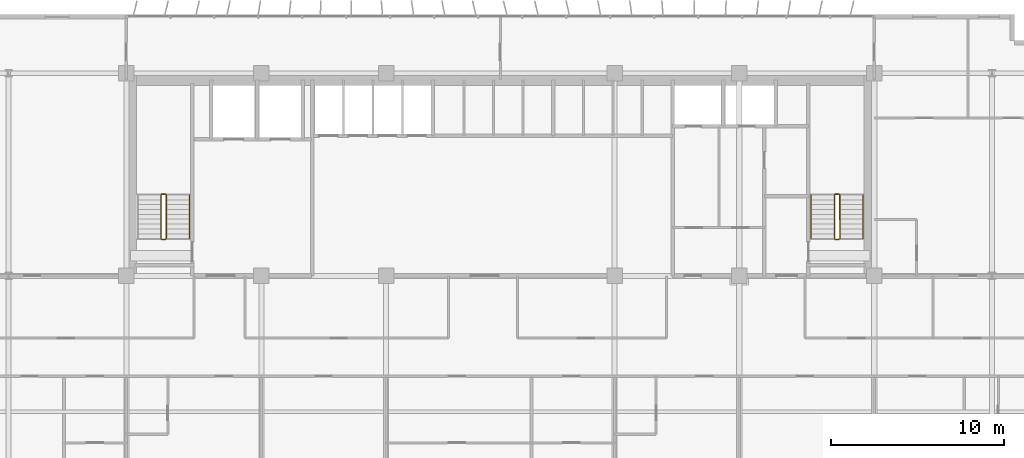
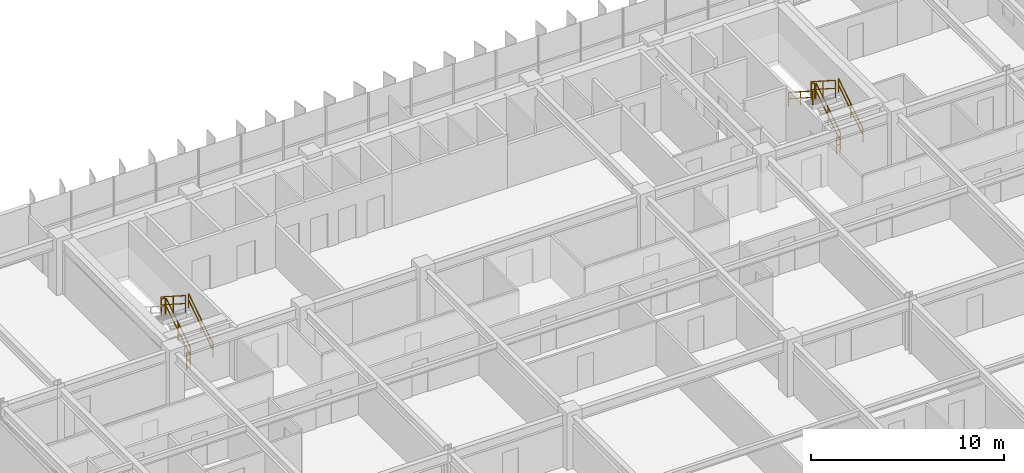
# One storey, part 21 of 22: 11 railings.
"""IFC4 building model written with IfcOpenShell, lengths in metres."""

from ifc_helpers import new_model, si_unit, direction, frame, origin, origin_2d, place, context, subcontext, project, spatial, rectangle, extrude, material, type_object, element, save


model = new_model("IFC4")

# Units and contexts
model_context = context("Model", 3, precision=1e-05, world=origin(), true_north=direction((0.0, 1.0)))
body_context = subcontext(model_context, "Body", "Model", "MODEL_VIEW")
ifc_project = project(units=[si_unit("LENGTHUNIT", "METRE"), si_unit("AREAUNIT", "SQUARE_METRE"), si_unit("VOLUMEUNIT", "CUBIC_METRE"), si_unit("PLANEANGLEUNIT", "RADIAN"), si_unit("MASSUNIT", "GRAM", prefix="KILO")], contexts=[model_context])

# Site, building, storey
site_placement = place(None, origin())
site = spatial("IfcSite", under=ifc_project, at=site_placement, CompositionType="ELEMENT")
building_placement = place(site_placement, origin())
building = spatial("IfcBuilding", under=site, at=building_placement, Name="Trelvane Seafront Commons", CompositionType="ELEMENT")
storey_placement = place(building_placement, frame((0.0, 0.0, 45.10009765625)))
storey = spatial("IfcBuildingStorey", under=building, at=storey_placement, Name="L11", CompositionType="ELEMENT", Elevation=45.10009765625)

# Railings
ifc_material = material(Name="Stainless steel balustrade", Category="steel")
railing_type_1 = type_object("IfcRailingType", Name="ARCH-SRL-GUARD", PredefinedType="GUARDRAIL", material=ifc_material)
railing_1_placement = place(storey_placement, frame((17.89990234375, 35.550048828125, 0.179931640625)))
element("IfcRailing", 1, at=railing_1_placement, inside=storey, type_object=railing_type_1, Name="L11 ST-1 stair guard 1", PredefinedType="GUARDRAIL", context=body_context, shape_type="SweptSolid", body=[
    extrude(rectangle(XDim=0.048095703125, YDim=0.048095703125, at=origin_2d()), frame((0.0, 0.0, 1.076171875), z_axis=(0.0, 0.841199657755, 0.540724639528), x_axis=(-1.0, 0.0, 0.0)), (0.0, 0.0, 1.0), 2.995849609375),
    extrude(rectangle(XDim=0.048095703125, YDim=0.048095703125, at=origin_2d()), frame((0.0, 0.0, 0.572021484375), z_axis=(0.0, 0.841199657755, 0.540724639528), x_axis=(-1.0, 0.0, 0.0)), (0.0, 0.0, 1.0), 2.995849609375),
    extrude(rectangle(XDim=0.0419921875, YDim=0.0419921875, at=origin_2d()), origin(), (0.0, 0.0, 1.0), 1.076171875),
    extrude(rectangle(XDim=0.0419921875, YDim=0.0419921875, at=origin_2d()), frame((0.0, 1.260009765625, 0.81005859375)), (0.0, 0.0, 1.0), 1.076171875),
    extrude(rectangle(XDim=0.0419921875, YDim=0.0419921875, at=origin_2d()), frame((0.0, 2.52001953125, 1.619873046875)), (0.0, 0.0, 1.0), 1.076171875),
])
railing_2_placement = place(storey_placement, frame((17.85009765625, 38.1201171875, 1.7998046875)))
element("IfcRailing", 2, at=railing_2_placement, inside=storey, type_object=railing_type_1, Name="L11 ST-1 stair guard 2", PredefinedType="GUARDRAIL", context=body_context, shape_type="SweptSolid", body=[
    extrude(rectangle(XDim=0.048095703125, YDim=0.048095703125, at=origin_2d()), frame((0.0, 0.0, 1.076171875), z_axis=(-1.0, 0.0, 0.0), x_axis=(0.0, -1.0, 0.0)), (0.0, 0.0, 1.0), 0.2001953125),
    extrude(rectangle(XDim=0.048095703125, YDim=0.048095703125, at=origin_2d()), frame((0.0, 0.0, 0.572021484375), z_axis=(-1.0, 0.0, 0.0), x_axis=(0.0, -1.0, 0.0)), (0.0, 0.0, 1.0), 0.2001953125),
    extrude(rectangle(XDim=0.0419921875, YDim=0.0419921875, at=origin_2d()), origin(), (0.0, 0.0, 1.0), 1.076171875),
    extrude(rectangle(XDim=0.0419921875, YDim=0.0419921875, at=origin_2d()), frame((-0.2001953125, 0.0, 0.0)), (0.0, 0.0, 1.0), 1.076171875),
])
railing_3_placement = place(storey_placement, frame((17.60009765625, 38.070068359375, 1.97998046875)))
element("IfcRailing", 3, at=railing_3_placement, inside=storey, type_object=railing_type_1, Name="L11 ST-1 stair guard 3", PredefinedType="GUARDRAIL", context=body_context, shape_type="SweptSolid", body=[
    extrude(rectangle(XDim=0.048095703125, YDim=0.048095703125, at=origin_2d()), frame((0.0, 0.0, 1.076171875), z_axis=(0.0, -0.841199657755, 0.540724639528), x_axis=(1.0, 0.0, 0.0)), (0.0, 0.0, 1.0), 2.995849609375),
    extrude(rectangle(XDim=0.048095703125, YDim=0.048095703125, at=origin_2d()), frame((0.0, 0.0, 0.572021484375), z_axis=(0.0, -0.841199657755, 0.540724639528), x_axis=(1.0, 0.0, 0.0)), (0.0, 0.0, 1.0), 2.995849609375),
    extrude(rectangle(XDim=0.0419921875, YDim=0.0419921875, at=origin_2d()), origin(), (0.0, 0.0, 1.0), 1.076171875),
    extrude(rectangle(XDim=0.0419921875, YDim=0.0419921875, at=origin_2d()), frame((0.0, -1.260009765625, 0.81005859375)), (0.0, 0.0, 1.0), 1.076171875),
    extrude(rectangle(XDim=0.0419921875, YDim=0.0419921875, at=origin_2d()), frame((0.0, -2.52001953125, 1.619873046875)), (0.0, 0.0, 1.0), 1.076171875),
])
railing_4_placement = place(storey_placement, frame((17.85009765625, 35.5, 0.0)))
element("IfcRailing", 4, at=railing_4_placement, inside=storey, type_object=railing_type_1, Name="L11 ST-1 stair guard 4", PredefinedType="GUARDRAIL", context=body_context, shape_type="SweptSolid", body=[
    extrude(rectangle(XDim=0.048095703125, YDim=0.048095703125, at=origin_2d()), frame((0.0, 0.0, 1.076171875), z_axis=(-1.0, 0.0, 0.0), x_axis=(0.0, -1.0, 0.0)), (0.0, 0.0, 1.0), 0.2001953125),
    extrude(rectangle(XDim=0.048095703125, YDim=0.048095703125, at=origin_2d()), frame((0.0, 0.0, 0.572021484375), z_axis=(-1.0, 0.0, 0.0), x_axis=(0.0, -1.0, 0.0)), (0.0, 0.0, 1.0), 0.2001953125),
    extrude(rectangle(XDim=0.0419921875, YDim=0.0419921875, at=origin_2d()), origin(), (0.0, 0.0, 1.0), 1.076171875),
    extrude(rectangle(XDim=0.0419921875, YDim=0.0419921875, at=origin_2d()), frame((-0.2001953125, 0.0, 0.0)), (0.0, 0.0, 1.0), 1.076171875),
])
railing_5_placement = place(storey_placement, frame((56.800048828125, 35.550048828125, 0.179931640625)))
element("IfcRailing", 5, at=railing_5_placement, inside=storey, type_object=railing_type_1, Name="L11 ST-2 stair guard 1", PredefinedType="GUARDRAIL", context=body_context, shape_type="SweptSolid", body=[
    extrude(rectangle(XDim=0.048095703125, YDim=0.048095703125, at=origin_2d()), frame((0.0, 0.0, 1.076171875), z_axis=(0.0, 0.841199657755, 0.540724639528), x_axis=(-1.0, 0.0, 0.0)), (0.0, 0.0, 1.0), 2.995849609375),
    extrude(rectangle(XDim=0.048095703125, YDim=0.048095703125, at=origin_2d()), frame((0.0, 0.0, 0.572021484375), z_axis=(0.0, 0.841199657755, 0.540724639528), x_axis=(-1.0, 0.0, 0.0)), (0.0, 0.0, 1.0), 2.995849609375),
    extrude(rectangle(XDim=0.0419921875, YDim=0.0419921875, at=origin_2d()), origin(), (0.0, 0.0, 1.0), 1.076171875),
    extrude(rectangle(XDim=0.0419921875, YDim=0.0419921875, at=origin_2d()), frame((0.0, 1.260009765625, 0.81005859375)), (0.0, 0.0, 1.0), 1.076171875),
    extrude(rectangle(XDim=0.0419921875, YDim=0.0419921875, at=origin_2d()), frame((0.0, 2.52001953125, 1.619873046875)), (0.0, 0.0, 1.0), 1.076171875),
])
railing_6_placement = place(storey_placement, frame((56.75, 38.1201171875, 1.7998046875)))
element("IfcRailing", 6, at=railing_6_placement, inside=storey, type_object=railing_type_1, Name="L11 ST-2 stair guard 2", PredefinedType="GUARDRAIL", context=body_context, shape_type="SweptSolid", body=[
    extrude(rectangle(XDim=0.048095703125, YDim=0.048095703125, at=origin_2d()), frame((0.0, 0.0, 1.076171875), z_axis=(-1.0, 0.0, 0.0), x_axis=(0.0, -1.0, 0.0)), (0.0, 0.0, 1.0), 0.199951171875),
    extrude(rectangle(XDim=0.048095703125, YDim=0.048095703125, at=origin_2d()), frame((0.0, 0.0, 0.572021484375), z_axis=(-1.0, 0.0, 0.0), x_axis=(0.0, -1.0, 0.0)), (0.0, 0.0, 1.0), 0.199951171875),
    extrude(rectangle(XDim=0.0419921875, YDim=0.0419921875, at=origin_2d()), origin(), (0.0, 0.0, 1.0), 1.076171875),
    extrude(rectangle(XDim=0.0419921875, YDim=0.0419921875, at=origin_2d()), frame((-0.199951171875, 0.0, 0.0)), (0.0, 0.0, 1.0), 1.076171875),
])
railing_7_placement = place(storey_placement, frame((56.5, 38.070068359375, 1.97998046875)))
element("IfcRailing", 7, at=railing_7_placement, inside=storey, type_object=railing_type_1, Name="L11 ST-2 stair guard 3", PredefinedType="GUARDRAIL", context=body_context, shape_type="SweptSolid", body=[
    extrude(rectangle(XDim=0.048095703125, YDim=0.048095703125, at=origin_2d()), frame((0.0, 0.0, 1.076171875), z_axis=(0.0, -0.841199657755, 0.540724639528), x_axis=(1.0, 0.0, 0.0)), (0.0, 0.0, 1.0), 2.995849609375),
    extrude(rectangle(XDim=0.048095703125, YDim=0.048095703125, at=origin_2d()), frame((0.0, 0.0, 0.572021484375), z_axis=(0.0, -0.841199657755, 0.540724639528), x_axis=(1.0, 0.0, 0.0)), (0.0, 0.0, 1.0), 2.995849609375),
    extrude(rectangle(XDim=0.0419921875, YDim=0.0419921875, at=origin_2d()), origin(), (0.0, 0.0, 1.0), 1.076171875),
    extrude(rectangle(XDim=0.0419921875, YDim=0.0419921875, at=origin_2d()), frame((0.0, -1.260009765625, 0.81005859375)), (0.0, 0.0, 1.0), 1.076171875),
    extrude(rectangle(XDim=0.0419921875, YDim=0.0419921875, at=origin_2d()), frame((0.0, -2.52001953125, 1.619873046875)), (0.0, 0.0, 1.0), 1.076171875),
])
railing_8_placement = place(storey_placement, frame((56.75, 35.5, 0.0)))
element("IfcRailing", 8, at=railing_8_placement, inside=storey, type_object=railing_type_1, Name="L11 ST-2 stair guard 4", PredefinedType="GUARDRAIL", context=body_context, shape_type="SweptSolid", body=[
    extrude(rectangle(XDim=0.048095703125, YDim=0.048095703125, at=origin_2d()), frame((0.0, 0.0, 1.076171875), z_axis=(-1.0, 0.0, 0.0), x_axis=(0.0, -1.0, 0.0)), (0.0, 0.0, 1.0), 0.199951171875),
    extrude(rectangle(XDim=0.048095703125, YDim=0.048095703125, at=origin_2d()), frame((0.0, 0.0, 0.572021484375), z_axis=(-1.0, 0.0, 0.0), x_axis=(0.0, -1.0, 0.0)), (0.0, 0.0, 1.0), 0.199951171875),
    extrude(rectangle(XDim=0.0419921875, YDim=0.0419921875, at=origin_2d()), origin(), (0.0, 0.0, 1.0), 1.076171875),
    extrude(rectangle(XDim=0.0419921875, YDim=0.0419921875, at=origin_2d()), frame((-0.199951171875, 0.0, 0.0)), (0.0, 0.0, 1.0), 1.076171875),
])
railing_type_2 = type_object("IfcRailingType", Name="ARCH-SRL-HAND", PredefinedType="HANDRAIL", material=ifc_material)
for number, where, name in (
    (9, (19.25, 35.550048828125, 0.179931640625), "L11 ST-1 stair handrail 1"),
    (10, (58.14990234375, 35.550048828125, 0.179931640625), "L11 ST-2 stair handrail 1"),
):
    element("IfcRailing", number, at=place(storey_placement, frame(where)), inside=storey, type_object=railing_type_2, Name=name, PredefinedType="HANDRAIL", context=body_context, shape_type="SweptSolid", body=[
        extrude(rectangle(XDim=0.048095703125, YDim=0.048095703125, at=origin_2d()), frame((0.0, 0.0, 0.8759765625), z_axis=(0.0, 0.841199657755, 0.540724639528), x_axis=(-1.0, 0.0, 0.0)), (0.0, 0.0, 1.0), 2.995849609375),
        extrude(rectangle(XDim=0.048095703125, YDim=0.048095703125, at=origin_2d()), frame((0.0, 0.0, 0.468017578125), z_axis=(0.0, 0.841199657755, 0.540724639528), x_axis=(-1.0, 0.0, 0.0)), (0.0, 0.0, 1.0), 2.995849609375),
        extrude(rectangle(XDim=0.0419921875, YDim=0.0419921875, at=origin_2d()), origin(), (0.0, 0.0, 1.0), 0.8759765625),
        extrude(rectangle(XDim=0.0419921875, YDim=0.0419921875, at=origin_2d()), frame((0.0, 1.260009765625, 0.81005859375)), (0.0, 0.0, 1.0), 0.8759765625),
        extrude(rectangle(XDim=0.0419921875, YDim=0.0419921875, at=origin_2d()), frame((0.0, 2.52001953125, 1.619873046875)), (0.0, 0.0, 1.0), 0.8759765625),
    ])
railing_9_placement = place(storey_placement, frame((55.14990234375, 38.070068359375, 1.97998046875)))
element("IfcRailing", 11, at=railing_9_placement, inside=storey, type_object=railing_type_2, Name="L11 ST-2 stair handrail 2", PredefinedType="HANDRAIL", context=body_context, shape_type="SweptSolid", body=[
    extrude(rectangle(XDim=0.048095703125, YDim=0.048095703125, at=origin_2d()), frame((0.0, 0.0, 0.8759765625), z_axis=(0.0, -0.841199657755, 0.540724639528), x_axis=(1.0, 0.0, 0.0)), (0.0, 0.0, 1.0), 2.995849609375),
    extrude(rectangle(XDim=0.048095703125, YDim=0.048095703125, at=origin_2d()), frame((0.0, 0.0, 0.468017578125), z_axis=(0.0, -0.841199657755, 0.540724639528), x_axis=(1.0, 0.0, 0.0)), (0.0, 0.0, 1.0), 2.995849609375),
    extrude(rectangle(XDim=0.0419921875, YDim=0.0419921875, at=origin_2d()), origin(), (0.0, 0.0, 1.0), 0.8759765625),
    extrude(rectangle(XDim=0.0419921875, YDim=0.0419921875, at=origin_2d()), frame((0.0, -1.260009765625, 0.81005859375)), (0.0, 0.0, 1.0), 0.8759765625),
    extrude(rectangle(XDim=0.0419921875, YDim=0.0419921875, at=origin_2d()), frame((0.0, -2.52001953125, 1.619873046875)), (0.0, 0.0, 1.0), 0.8759765625),
])

save(model, "model.ifc")
